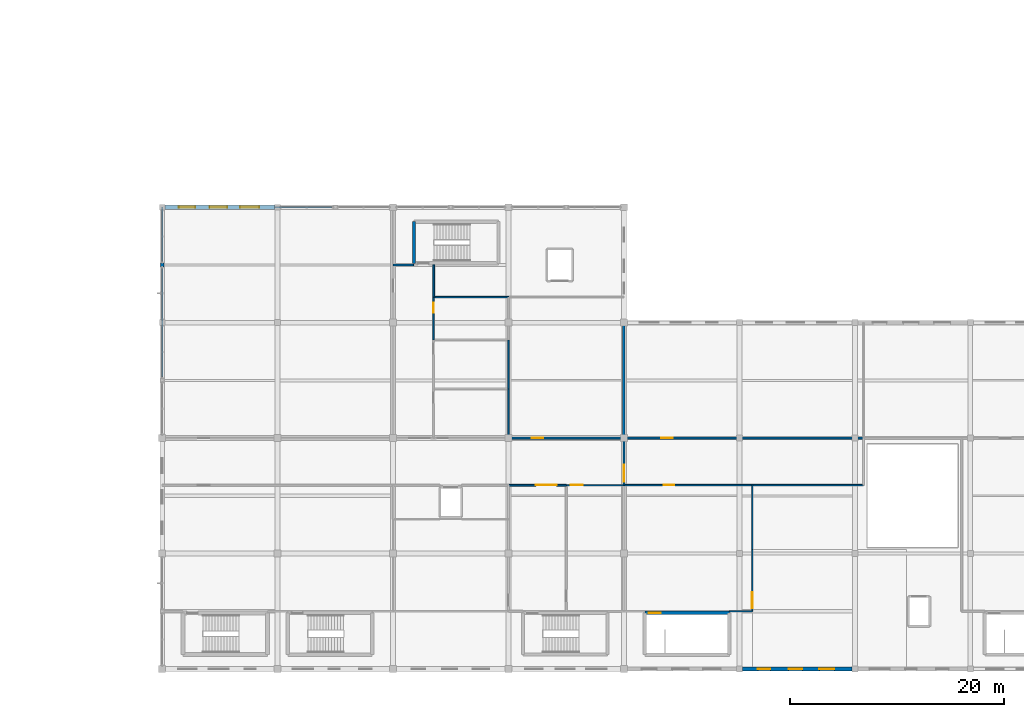
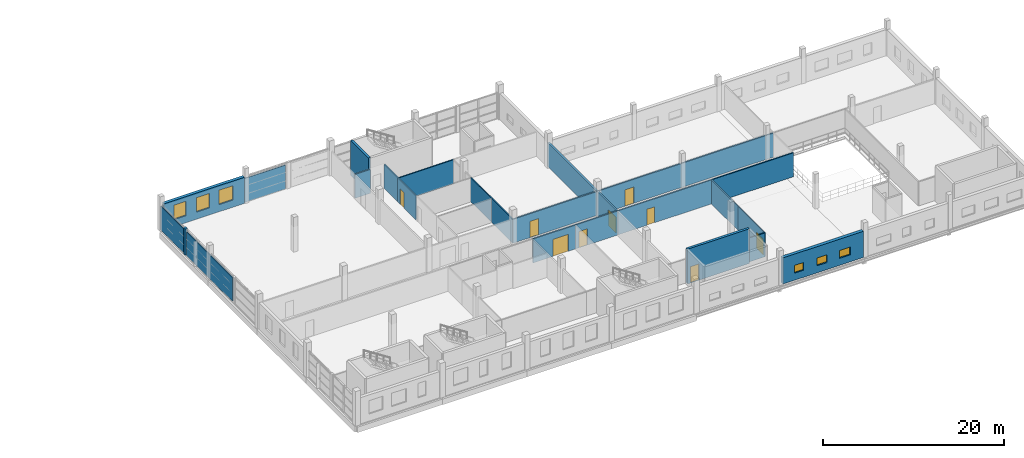
# One storey, part 16 of 24: 25 walls, 9 doors, 6 windows, 15 openings.
"""IFC4 building model written with IfcOpenShell, lengths in metres."""

import ifcopenshell
import ifcopenshell.guid

model = None  # the IFC model being written
_history = None  # IfcOwnerHistory: only IFC2X3 demands one
_inside = {}  # id of a spatial element -> (the spatial element, [elements in it])
_under = {}  # id of a project, library or spatial element -> (it, [spatial elements below it])
_declared = {}  # id of a project -> (the project, [libraries it declares])
_typed = {}  # id of a type object -> (the type object, [elements of that type])
_made_of = {}  # id of a material, layer set ... -> (it, [elements and type objects made of it])


def new_model(schema):
    """Start an empty IFC model of exactly this schema.

    Asked for "IFC4X3", IfcOpenShell would pick the latest addendum, in which some entities
    have other attributes; the version numbers below select the first issue.
    IFC2X3 requires an IfcOwnerHistory on every rooted entity: one is made here for all.
    """
    global model, _history
    if schema == "IFC4X3":
        model = ifcopenshell.file(schema_version=(4, 3, 0, 0))
    else:
        model = ifcopenshell.file(schema=schema)
    _inside.clear()
    _under.clear()
    _declared.clear()
    _typed.clear()
    _made_of.clear()
    _history = None
    if model.schema == "IFC2X3":
        org = make("IfcOrganization", Name="unknown")
        user = make(
            "IfcPersonAndOrganization",
            ThePerson=make("IfcPerson", FamilyName="unknown"),
            TheOrganization=org,
        )
        app = make(
            "IfcApplication",
            ApplicationDeveloper=org,
            Version="unknown",
            ApplicationFullName="unknown",
            ApplicationIdentifier="unknown",
        )
        _history = make(
            "IfcOwnerHistory",
            OwningUser=user,
            OwningApplication=app,
            ChangeAction="ADDED",
            CreationDate=0,
        )
    return model


def make(cls, **values):
    """One entity of the class cls with the attributes given. An attribute that is None is left unset."""
    return model.create_entity(
        cls, **{name: value for name, value in values.items() if value is not None}
    )


def rooted(cls, **values):
    """An entity with a GlobalId (a new one), such as an element, a storey or a relation."""
    return make(cls, GlobalId=ifcopenshell.guid.new(), OwnerHistory=_history, **values)


def si_unit(unit_type, name, prefix=None):
    """IfcSIUnit, for example si_unit("LENGTHUNIT", "METRE", prefix="MILLI")."""
    return make("IfcSIUnit", UnitType=unit_type, Prefix=prefix, Name=name)


def assignment(units):
    """IfcUnitAssignment: the units of a project."""
    return None if units is None else make("IfcUnitAssignment", Units=units)


def point(xyz):
    """IfcCartesianPoint."""
    return None if xyz is None else make("IfcCartesianPoint", Coordinates=xyz)


def direction(xyz):
    """IfcDirection."""
    return None if xyz is None else make("IfcDirection", DirectionRatios=xyz)


def frame(location, z_axis=None, x_axis=None):
    """IfcAxis2Placement3D, a coordinate frame: its origin and axes. An axis left out is left unset."""
    return make(
        "IfcAxis2Placement3D",
        Location=point(location),
        Axis=direction(z_axis),
        RefDirection=direction(x_axis),
    )


def frame_2d(location, x_axis=None):
    """IfcAxis2Placement2D, a coordinate frame in the plane: its origin and x axis."""
    return make(
        "IfcAxis2Placement2D", Location=point(location), RefDirection=direction(x_axis)
    )


def origin():
    """The frame at (0, 0, 0) with its axes left unset."""
    return frame((0.0, 0.0, 0.0))


def place(relative_to, where):
    """IfcLocalPlacement: puts the frame where relative to a parent placement (None: the world)."""
    return make(
        "IfcLocalPlacement", PlacementRelTo=relative_to, RelativePlacement=where
    )


def context(
    kind, dimensions, precision=None, world=None, true_north=None, identifier=None
):
    """IfcGeometricRepresentationContext, for example the 3D "Model" context."""
    return make(
        "IfcGeometricRepresentationContext",
        ContextIdentifier=identifier,
        ContextType=kind,
        CoordinateSpaceDimension=dimensions,
        Precision=precision,
        WorldCoordinateSystem=world,
        TrueNorth=true_north,
    )


def subcontext(parent, identifier, kind, view, scale=None):
    """IfcGeometricRepresentationSubContext, for example "Body" below "Model"."""
    return make(
        "IfcGeometricRepresentationSubContext",
        ContextIdentifier=identifier,
        ContextType=kind,
        ParentContext=parent,
        TargetScale=scale,
        TargetView=view,
    )


def project(units=None, contexts=None):
    """IfcProject with its units and contexts."""
    return rooted(
        "IfcProject",
        Name="project",
        RepresentationContexts=contexts,
        UnitsInContext=assignment(units),
    )


def spatial(cls, under=None, at=None, **own):
    """A site, building, storey or space (cls), placed at a placement, below another one or the project."""
    s = rooted(cls, ObjectPlacement=at, **own)
    if under is not None:
        _under.setdefault(under.id(), (under, []))[1].append(s)
    return s


def profile(cls, at=None, kind="AREA", **sizes):
    """A parametric profile (cls). Its sizes go by their IFC names, for example OverallWidth=200.0."""
    return make(cls, ProfileType=kind, Position=at, **sizes)


def rectangle(**sizes):
    """IfcRectangleProfileDef."""
    return profile("IfcRectangleProfileDef", **sizes)


def extrude(swept, where, along, depth):
    """IfcExtrudedAreaSolid: the profile swept, set in the frame where, extruded along a direction by depth."""
    return make(
        "IfcExtrudedAreaSolid",
        SweptArea=swept,
        Position=where,
        ExtrudedDirection=direction(along),
        Depth=depth,
    )


def shape(context_of_items, identifier, shape_type, items):
    """IfcShapeRepresentation: the items that make up one representation, for example the "Body"."""
    return make(
        "IfcShapeRepresentation",
        ContextOfItems=context_of_items,
        RepresentationIdentifier=identifier,
        RepresentationType=shape_type,
        Items=items,
    )


def material(Name=None, Category=None):
    """IfcMaterial."""
    return make("IfcMaterial", Name=Name, Category=Category)


def layer(
    of_material, thickness, ventilated=None, Name=None, Category=None, Priority=None
):
    """IfcMaterialLayer: one layer of a wall or slab, of a material (None: an air gap)."""
    return make(
        "IfcMaterialLayer",
        Material=of_material,
        LayerThickness=thickness,
        IsVentilated=ventilated,
        Name=Name,
        Category=Category,
        Priority=Priority,
    )


def layer_set(layers, Name=None):
    """IfcMaterialLayerSet."""
    return make("IfcMaterialLayerSet", MaterialLayers=layers, LayerSetName=Name)


def made_of(thing, what):
    """Note that an element or type object is made of a material, layer set ...; save() writes the relation."""
    if what is not None:
        _made_of.setdefault(what.id(), (what, []))[1].append(thing)
    return thing


def type_object(cls, material=None, **own):
    """A type object (cls), such as IfcWallType, which elements share."""
    return made_of(rooted(cls, **own), material)


def element(
    cls,
    number,
    at=None,
    inside=None,
    cuts=None,
    type_object=None,
    material=None,
    context=None,
    identifier="Body",
    shape_type=None,
    held_by="IfcProductDefinitionShape",
    body=None,
    shapes=None,
    **own,
):
    """One element of the class cls, such as IfcWall. Its Tag is "e" and its number.

    at: its placement. inside: the storey or other place that contains it. cuts: it is an
    opening in that element (IfcRelVoidsElement). A single representation is given by context,
    identifier, shape_type and body (its items); several are given by shapes. held_by: the class
    of the entity that holds the representations. save() writes the other relations.
    """
    e = rooted(cls, Tag="e%d" % number, ObjectPlacement=at, **own)
    if body is not None:
        shapes = [shape(context, identifier, shape_type, body)]
    if shapes is not None:
        e.Representation = make(held_by, Representations=shapes)
    if inside is not None:
        _inside.setdefault(inside.id(), (inside, []))[1].append(e)
    if cuts is not None:
        rooted(
            "IfcRelVoidsElement", RelatingBuildingElement=cuts, RelatedOpeningElement=e
        )
    if type_object is not None:
        _typed.setdefault(type_object.id(), (type_object, []))[1].append(e)
    return made_of(e, material)


def fill(opening, filler):
    """IfcRelFillsElement: the door or window that sits in an opening."""
    return rooted(
        "IfcRelFillsElement",
        RelatingOpeningElement=opening,
        RelatedBuildingElement=filler,
    )


def aggregate(whole, parts):
    """IfcRelAggregates: a whole, such as a stair, and the parts it consists of."""
    return rooted("IfcRelAggregates", RelatingObject=whole, RelatedObjects=parts)


def save(model, path):
    """Write the relations noted so far, then the file.

    IfcRelAggregates (storeys below a building ...), IfcRelContainedInSpatialStructure (elements
    in a storey), IfcRelDefinesByType, IfcRelAssociatesMaterial and IfcRelDeclares: one each for
    every whole, place, type object, material and project.
    """
    for whole, parts in _under.values():
        aggregate(whole, parts)
    for where, things in _inside.values():
        rooted(
            "IfcRelContainedInSpatialStructure",
            RelatedElements=things,
            RelatingStructure=where,
        )
    for kind, things in _typed.values():
        rooted("IfcRelDefinesByType", RelatedObjects=things, RelatingType=kind)
    for what, things in _made_of.values():
        rooted("IfcRelAssociatesMaterial", RelatedObjects=things, RelatingMaterial=what)
    for by, libraries in _declared.values():
        rooted("IfcRelDeclares", RelatingContext=by, RelatedDefinitions=libraries)
    model.write(path)


model = new_model("IFC4")

# Units and contexts
model_context = context("Model", 3, precision=1e-05, world=origin(), true_north=direction((0.0, 1.0)))
body_context = subcontext(model_context, "Body", "Model", "MODEL_VIEW")
ifc_project = project(units=[si_unit("LENGTHUNIT", "METRE"), si_unit("AREAUNIT", "SQUARE_METRE"), si_unit("VOLUMEUNIT", "CUBIC_METRE"), si_unit("PLANEANGLEUNIT", "RADIAN"), si_unit("MASSUNIT", "GRAM", prefix="KILO")], contexts=[model_context])

# Site, building, storey
site_placement = place(None, origin())
site = spatial("IfcSite", under=ifc_project, at=site_placement, CompositionType="ELEMENT")
building_placement = place(site_placement, origin())
building = spatial("IfcBuilding", under=site, at=building_placement, Name="Zwinboog Wholesale Market", CompositionType="ELEMENT")
storey_placement = place(building_placement, frame((0.0, 0.0, 10.080078125)))
storey = spatial("IfcBuildingStorey", under=building, at=storey_placement, Name="L02", CompositionType="ELEMENT", Elevation=10.080078125)

# Wall, openings, windows
ifc_material_1 = material(Name="Precast concrete C45/55", Category="concrete")
ifc_layer_1 = layer(ifc_material_1, 0.389892578125)
ifc_layer_set_1 = layer_set([ifc_layer_1], Name="Precast concrete C45/55")
wall_type_1 = type_object("IfcWallType", Name="WT-EW-390", PredefinedType="STANDARD", material=ifc_layer_set_1)
wall_1_placement = place(storey_placement, frame((129.8701171875, 43.199951171875, 0.0), z_axis=(0.0, 0.0, 1.0), x_axis=(1.0, 0.0, 0.0)))
wall_1 = element("IfcWall", 1, at=wall_1_placement, inside=storey, type_object=wall_type_1, Name="EW-02 (WL-EW-L02-195)", PredefinedType="STANDARD", context=body_context, shape_type="SweptSolid", body=[
    extrude(rectangle(XDim=10.259765625, YDim=0.389892578125, at=frame_2d((5.1298828125, 0.0))), origin(), (0.0, 0.0, 1.0), 3.530029296875),
])
opening_1_placement = place(wall_1_placement, frame((1.284912109375, 0.0, 0.949951171875)))
opening_1 = element("IfcOpeningElement", 2, at=opening_1_placement, cuts=wall_1, Name="Opening WN-61", PredefinedType="OPENING", context=body_context, shape_type="SweptSolid", body=[
    extrude(rectangle(XDim=1.530029296875, YDim=1.949951171875, at=frame_2d((0.76513671875, 0.97509765625))), frame((0.0, 0.204833984375, 0.0), z_axis=(0.0, -1.0, 0.0), x_axis=(1.0, 0.0, 0.0)), (0.0, 0.0, 1.0), 0.409912109375),
])
opening_2_placement = place(wall_1_placement, frame((4.155029296875, 0.0, 0.949951171875)))
opening_2 = element("IfcOpeningElement", 3, at=opening_2_placement, cuts=wall_1, Name="Opening WN-62", PredefinedType="OPENING", context=body_context, shape_type="SweptSolid", body=[
    extrude(rectangle(XDim=1.64990234375, YDim=1.949951171875, at=frame_2d((0.824951171875, 0.97509765625))), frame((0.0, 0.204833984375, 0.0), z_axis=(0.0, -1.0, 0.0), x_axis=(1.0, 0.0, 0.0)), (0.0, 0.0, 1.0), 0.409912109375),
])
opening_3_placement = place(wall_1_placement, frame((7.02490234375, 0.0, 0.949951171875)))
opening_3 = element("IfcOpeningElement", 4, at=opening_3_placement, cuts=wall_1, Name="Opening WN-63", PredefinedType="OPENING", context=body_context, shape_type="SweptSolid", body=[
    extrude(rectangle(XDim=1.77001953125, YDim=1.949951171875, at=frame_2d((0.885009765625, 0.97509765625))), frame((0.0, 0.204833984375, 0.0), z_axis=(0.0, -1.0, 0.0), x_axis=(1.0, 0.0, 0.0)), (0.0, 0.0, 1.0), 0.409912109375),
])
ifc_material_2 = material(Name="Thermally broken aluminium low-e window", Category="aluminium")
window_type_1 = type_object("IfcWindowType", Name="WNT-61", PartitioningType="SINGLE_PANEL", PredefinedType="WINDOW", material=ifc_material_2)
window_1_placement = place(opening_1_placement, origin())
window_1 = element("IfcWindow", 5, at=window_1_placement, inside=storey, type_object=window_type_1, Name="WN-61 (WIN-L02-0205)", OverallHeight=1.949951171875, OverallWidth=1.530029296875, PartitioningType="SINGLE_PANEL", PredefinedType="WINDOW", context=body_context, shape_type="SweptSolid", body=[
    extrude(rectangle(XDim=1.530029296875, YDim=1.949951171875, at=frame_2d((0.76513671875, 0.97509765625))), frame((0.0, 0.030029296875, 0.0), z_axis=(0.0, -1.0, 0.0), x_axis=(1.0, 0.0, 0.0)), (0.0, 0.0, 1.0), 0.06005859375),
])
fill(opening_1, window_1)
window_type_2 = type_object("IfcWindowType", Name="WNT-62", PartitioningType="SINGLE_PANEL", PredefinedType="WINDOW", material=ifc_material_2)
window_2_placement = place(opening_2_placement, origin())
window_2 = element("IfcWindow", 6, at=window_2_placement, inside=storey, type_object=window_type_2, Name="WN-62 (WIN-L02-0206)", OverallHeight=1.949951171875, OverallWidth=1.64990234375, PartitioningType="SINGLE_PANEL", PredefinedType="WINDOW", context=body_context, shape_type="SweptSolid", body=[
    extrude(rectangle(XDim=1.64990234375, YDim=1.949951171875, at=frame_2d((0.824951171875, 0.97509765625))), frame((0.0, 0.030029296875, 0.0), z_axis=(0.0, -1.0, 0.0), x_axis=(1.0, 0.0, 0.0)), (0.0, 0.0, 1.0), 0.06005859375),
])
fill(opening_2, window_2)
window_type_3 = type_object("IfcWindowType", Name="WNT-63", PartitioningType="SINGLE_PANEL", PredefinedType="WINDOW", material=ifc_material_2)
window_3_placement = place(opening_3_placement, origin())
window_3 = element("IfcWindow", 7, at=window_3_placement, inside=storey, type_object=window_type_3, Name="WN-63 (WIN-L02-0207)", OverallHeight=1.949951171875, OverallWidth=1.77001953125, PartitioningType="SINGLE_PANEL", PredefinedType="WINDOW", context=body_context, shape_type="SweptSolid", body=[
    extrude(rectangle(XDim=1.77001953125, YDim=1.949951171875, at=frame_2d((0.885009765625, 0.97509765625))), frame((0.0, 0.030029296875, 0.0), z_axis=(0.0, -1.0, 0.0), x_axis=(1.0, 0.0, 0.0)), (0.0, 0.0, 1.0), 0.06005859375),
])
fill(opening_3, window_3)

ifc_layer_2 = layer(ifc_material_1, 0.409912109375)
ifc_layer_set_2 = layer_set([ifc_layer_2], Name="Precast concrete C45/55")
wall_type_2 = type_object("IfcWallType", Name="WT-EW-410", PredefinedType="STANDARD", material=ifc_layer_set_2)
wall_2_placement = place(storey_placement, frame((183.8701171875, 0.0, 0.0), z_axis=(0.0, 0.0, 1.0), x_axis=(1.0, 0.0, 0.0)))
wall_2 = element("IfcWall", 8, at=wall_2_placement, inside=storey, type_object=wall_type_2, Name="EW-03 (WL-EW-L02-206)", PredefinedType="STANDARD", context=body_context, shape_type="SweptSolid", body=[
    extrude(rectangle(XDim=10.259765625, YDim=0.409912109375, at=frame_2d((5.1298828125, 0.0))), origin(), (0.0, 0.0, 1.0), 3.530029296875),
])
opening_4_placement = place(wall_2_placement, frame((1.465087890625, 0.0, 0.949951171875)))
opening_4 = element("IfcOpeningElement", 9, at=opening_4_placement, cuts=wall_2, Name="Opening WN-10", PredefinedType="OPENING", context=body_context, shape_type="SweptSolid", body=[
    extrude(rectangle(XDim=1.169921875, YDim=1.050048828125, at=frame_2d((0.5849609375, 0.52490234375))), frame((0.0, 0.21484375, 0.0), z_axis=(0.0, -1.0, 0.0), x_axis=(1.0, 0.0, 0.0)), (0.0, 0.0, 1.0), 0.429931640625),
])
opening_5_placement = place(wall_2_placement, frame((4.3349609375, 0.0, 0.949951171875)))
opening_5 = element("IfcOpeningElement", 10, at=opening_5_placement, cuts=wall_2, Name="Opening WN-11", PredefinedType="OPENING", context=body_context, shape_type="SweptSolid", body=[
    extrude(rectangle(XDim=1.2900390625, YDim=1.050048828125, at=frame_2d((0.64501953125, 0.52490234375))), frame((0.0, 0.21484375, 0.0), z_axis=(0.0, -1.0, 0.0), x_axis=(1.0, 0.0, 0.0)), (0.0, 0.0, 1.0), 0.429931640625),
])
opening_6_placement = place(wall_2_placement, frame((7.205078125, 0.0, 0.949951171875)))
opening_6 = element("IfcOpeningElement", 11, at=opening_6_placement, cuts=wall_2, Name="Opening WN-12", PredefinedType="OPENING", context=body_context, shape_type="SweptSolid", body=[
    extrude(rectangle(XDim=1.409912109375, YDim=1.050048828125, at=frame_2d((0.705078125, 0.52490234375))), frame((0.0, 0.21484375, 0.0), z_axis=(0.0, -1.0, 0.0), x_axis=(1.0, 0.0, 0.0)), (0.0, 0.0, 1.0), 0.429931640625),
])
window_type_4 = type_object("IfcWindowType", Name="WNT-10", PartitioningType="SINGLE_PANEL", PredefinedType="WINDOW", material=ifc_material_2)
window_4_placement = place(opening_4_placement, frame((1.169921875, 0.0, 0.0), z_axis=(0.0, 0.0, 1.0), x_axis=(-1.0, 0.0, 0.0)))
window_4 = element("IfcWindow", 12, at=window_4_placement, inside=storey, type_object=window_type_4, Name="WN-10 (WIN-L02-0226)", OverallHeight=1.050048828125, OverallWidth=1.169921875, PartitioningType="SINGLE_PANEL", PredefinedType="WINDOW", context=body_context, shape_type="SweptSolid", body=[
    extrude(rectangle(XDim=1.169921875, YDim=1.050048828125, at=frame_2d((0.5849609375, 0.52490234375))), frame((0.0, 0.030029296875, 0.0), z_axis=(0.0, -1.0, 0.0), x_axis=(1.0, 0.0, 0.0)), (0.0, 0.0, 1.0), 0.06005859375),
])
fill(opening_4, window_4)
window_type_5 = type_object("IfcWindowType", Name="WNT-11", PartitioningType="SINGLE_PANEL", PredefinedType="WINDOW", material=ifc_material_2)
window_5_placement = place(opening_5_placement, frame((1.2900390625, 0.0, 0.0), z_axis=(0.0, 0.0, 1.0), x_axis=(-1.0, 0.0, 0.0)))
window_5 = element("IfcWindow", 13, at=window_5_placement, inside=storey, type_object=window_type_5, Name="WN-11 (WIN-L02-0227)", OverallHeight=1.050048828125, OverallWidth=1.2900390625, PartitioningType="SINGLE_PANEL", PredefinedType="WINDOW", context=body_context, shape_type="SweptSolid", body=[
    extrude(rectangle(XDim=1.2900390625, YDim=1.050048828125, at=frame_2d((0.64501953125, 0.52490234375))), frame((0.0, 0.030029296875, 0.0), z_axis=(0.0, -1.0, 0.0), x_axis=(1.0, 0.0, 0.0)), (0.0, 0.0, 1.0), 0.06005859375),
])
fill(opening_5, window_5)
window_type_6 = type_object("IfcWindowType", Name="WNT-12", PartitioningType="SINGLE_PANEL", PredefinedType="WINDOW", material=ifc_material_2)
window_6_placement = place(opening_6_placement, frame((1.409912109375, 0.0, 0.0), z_axis=(0.0, 0.0, 1.0), x_axis=(-1.0, 0.0, 0.0)))
window_6 = element("IfcWindow", 14, at=window_6_placement, inside=storey, type_object=window_type_6, Name="WN-12 (WIN-L02-0228)", OverallHeight=1.050048828125, OverallWidth=1.409912109375, PartitioningType="SINGLE_PANEL", PredefinedType="WINDOW", context=body_context, shape_type="SweptSolid", body=[
    extrude(rectangle(XDim=1.409912109375, YDim=1.050048828125, at=frame_2d((0.705078125, 0.52490234375))), frame((0.0, 0.030029296875, 0.0), z_axis=(0.0, -1.0, 0.0), x_axis=(1.0, 0.0, 0.0)), (0.0, 0.0, 1.0), 0.06005859375),
])
fill(opening_6, window_6)

# Walls
ifc_layer_3 = layer(ifc_material_1, 0.304931640625)
ifc_layer_set_3 = layer_set([ifc_layer_3], Name="Precast concrete C45/55")
wall_type_3 = type_object("IfcWallType", Name="WT-EW-305", PredefinedType="STANDARD", material=ifc_layer_set_3)
wall_3_placement = place(storey_placement, frame((129.60009765625, 37.60009765625, 0.0), z_axis=(0.0, 0.0, 1.0), x_axis=(0.0, 1.0, 0.0)))
element("IfcWall", 15, at=wall_3_placement, inside=storey, type_object=wall_type_3, Name="EW-07 (WL-PIER-L02-196)", PredefinedType="STANDARD", context=body_context, shape_type="SweptSolid", body=[
    extrude(rectangle(XDim=0.39990234375, YDim=0.304931640625, at=frame_2d((0.199951171875, 0.0))), origin(), (0.0, 0.0, 1.0), 3.530029296875),
])
ifc_material_3 = material(Name="Concrete C40/50", Category="concrete")
ifc_layer_4 = layer(ifc_material_3, 0.300048828125)
ifc_layer_set_4 = layer_set([ifc_layer_4], Name="Concrete C40/50")
wall_type_4 = type_object("IfcWallType", Name="WT-SW-300", PredefinedType="SHEAR", material=ifc_layer_set_4)
wall_4_placement = place(storey_placement, frame((153.14990234375, 37.949951171875, 0.0), z_axis=(0.0, 0.0, 1.0), x_axis=(0.0, 1.0, 0.0)))
element("IfcWall", 16, at=wall_4_placement, inside=storey, type_object=wall_type_4, Name="SW-02 (WL-SW-L02-123)", PredefinedType="SHEAR", context=body_context, shape_type="SweptSolid", body=[
    extrude(rectangle(XDim=3.900146484375, YDim=0.300048828125, at=frame_2d((1.9501953125, 0.0))), origin(), (0.0, 0.0, 1.0), 4.679931640625),
])

# Wall, opening, door
ifc_layer_5 = layer(ifc_material_3, 0.320068359375)
ifc_layer_set_5 = layer_set([ifc_layer_5], Name="Concrete C40/50")
wall_type_5 = type_object("IfcWallType", Name="WT-SW-320", PredefinedType="SHEAR", material=ifc_layer_set_5)
wall_5_placement = place(storey_placement, frame((174.75, 5.25, 0.0), z_axis=(0.0, 0.0, 1.0), x_axis=(1.0, 0.0, 0.0)))
wall_5 = element("IfcWall", 17, at=wall_5_placement, inside=storey, type_object=wall_type_5, Name="SW-03 (WL-SW-L02-078)", PredefinedType="SHEAR", context=body_context, shape_type="SweptSolid", body=[
    extrude(rectangle(XDim=7.89990234375, YDim=0.320068359375, at=frame_2d((3.949951171875, 0.0))), origin(), (0.0, 0.0, 1.0), 4.679931640625),
])
opening_7_placement = place(wall_5_placement, frame((0.3798828125, 0.0, 0.0)))
opening_7 = element("IfcOpeningElement", 18, at=opening_7_placement, cuts=wall_5, Name="Opening FD-0020", PredefinedType="OPENING", context=body_context, shape_type="SweptSolid", body=[
    extrude(rectangle(XDim=1.10009765625, YDim=2.199951171875, at=frame_2d((0.550048828125, 1.10009765625))), frame((0.0, 0.169921875, 0.0), z_axis=(0.0, -1.0, 0.0), x_axis=(1.0, 0.0, 0.0)), (0.0, 0.0, 1.0), 0.340087890625),
])
ifc_material_4 = material(Name="Timber and powder-coated steel door leaf", Category="steel")
door_type_1 = type_object("IfcDoorType", Name="IDT-FD-02", OperationType="NOTDEFINED", PredefinedType="DOOR", material=ifc_material_4)
door_1_placement = place(opening_7_placement, origin())
door_1 = element("IfcDoor", 19, at=door_1_placement, inside=storey, type_object=door_type_1, Name="Core Fire Door FD-0020", OperationType="SINGLE_SWING_LEFT", OverallHeight=2.199951171875, OverallWidth=1.10009765625, PredefinedType="DOOR", context=body_context, shape_type="SweptSolid", body=[
    extrude(rectangle(XDim=1.10009765625, YDim=2.199951171875, at=frame_2d((0.550048828125, 1.10009765625))), frame((0.0, 0.02490234375, 0.0), z_axis=(0.0, -1.0, 0.0), x_axis=(1.0, 0.0, 0.0)), (0.0, 0.0, 1.0), 0.050048828125),
])
fill(opening_7, door_1)

ifc_layer_6 = layer(ifc_material_1, 0.179931640625)
ifc_layer_set_6 = layer_set([ifc_layer_6], Name="Precast concrete C45/55")
wall_type_6 = type_object("IfcWallType", Name="WT-IW-180", PredefinedType="PARTITIONING", material=ifc_layer_set_6)
wall_6_placement = place(storey_placement, frame((172.800048828125, 17.199951171875, 0.0), z_axis=(0.0, 0.0, 1.0), x_axis=(0.0, 1.0, 0.0)))
wall_6 = element("IfcWall", 20, at=wall_6_placement, inside=storey, type_object=wall_type_6, Name="IW-01 (WL-IN-L02-0241)", PredefinedType="PARTITIONING", context=body_context, shape_type="SweptSolid", body=[
    extrude(rectangle(XDim=4.400146484375, YDim=0.179931640625, at=frame_2d((2.2001953125, 0.0))), origin(), (0.0, 0.0, 1.0), 3.22998046875),
])
opening_8_placement = place(wall_6_placement, frame((0.300048828125, 0.0, 0.0)))
opening_8 = element("IfcOpeningElement", 21, at=opening_8_placement, cuts=wall_6, Name="Opening IDF-0079", PredefinedType="OPENING", context=body_context, shape_type="SweptSolid", body=[
    extrude(rectangle(XDim=1.60009765625, YDim=2.199951171875, at=frame_2d((0.800048828125, 1.10009765625))), frame((0.0, 0.099853515625, 0.0), z_axis=(0.0, -1.0, 0.0), x_axis=(1.0, 0.0, 0.0)), (0.0, 0.0, 1.0), 0.199951171875),
])
door_type_2 = type_object("IfcDoorType", Name="IDT-FD-03", OperationType="DOUBLE_DOOR_SINGLE_SWING", PredefinedType="DOOR", material=ifc_material_4)
door_2_placement = place(opening_8_placement, origin())
door_2 = element("IfcDoor", 22, at=door_2_placement, inside=storey, type_object=door_type_2, Name="Interior Door IDF-0079", OperationType="DOUBLE_DOOR_SINGLE_SWING", OverallHeight=2.199951171875, OverallWidth=1.60009765625, PredefinedType="DOOR", context=body_context, shape_type="SweptSolid", body=[
    extrude(rectangle(XDim=1.60009765625, YDim=2.199951171875, at=frame_2d((0.800048828125, 1.10009765625))), frame((0.0, 0.02490234375, 0.0), z_axis=(0.0, -1.0, 0.0), x_axis=(1.0, 0.0, 0.0)), (0.0, 0.0, 1.0), 0.050048828125),
])
fill(opening_8, door_2)

# Walls
ifc_layer_7 = layer(ifc_material_1, 0.235107421875)
ifc_layer_set_7 = layer_set([ifc_layer_7], Name="Precast concrete C45/55")
wall_type_7 = type_object("IfcWallType", Name="WT-IW-235", PredefinedType="PARTITIONING", material=ifc_layer_set_7)
wall_7_placement = place(storey_placement, frame((172.800048828125, 21.60009765625, 0.0), z_axis=(0.0, 0.0, 1.0), x_axis=(0.0, 1.0, 0.0)))
element("IfcWall", 23, at=wall_7_placement, inside=storey, type_object=wall_type_7, Name="IW-03 (WL-IN-L02-0288)", PredefinedType="PARTITIONING", context=body_context, shape_type="SweptSolid", body=[
    extrude(rectangle(XDim=10.7998046875, YDim=0.235107421875, at=frame_2d((5.39990234375, 0.0))), origin(), (0.0, 0.0, 1.0), 3.22998046875),
])
ifc_material_5 = material(Name="Gypsum acoustic stud partition")
ifc_layer_8 = layer(ifc_material_5, 0.10791015625)
ifc_layer_set_8 = layer_set([ifc_layer_8], Name="Gypsum acoustic stud partition")
wall_type_8 = type_object("IfcWallType", Name="WT-PT-108", PredefinedType="PARTITIONING", material=ifc_layer_set_8)
wall_8_placement = place(storey_placement, frame((182.669921875, 5.39990234375, 0.0), z_axis=(0.0, 0.0, 1.0), x_axis=(1.0, 0.0, 0.0)))
element("IfcWall", 24, at=wall_8_placement, inside=storey, type_object=wall_type_8, Name="PW-01 (WL-IN-L02-0287)", PredefinedType="PARTITIONING", context=body_context, shape_type="SweptSolid", body=[
    extrude(rectangle(XDim=2.130126953125, YDim=0.10791015625, at=frame_2d((1.06494140625, 0.0))), origin(), (0.0, 0.0, 1.0), 3.22998046875),
])

# Wall, opening, door
wall_9_placement = place(storey_placement, frame((184.800048828125, 5.39990234375, 0.0), z_axis=(0.0, 0.0, 1.0), x_axis=(0.0, 1.0, 0.0)))
wall_9 = element("IfcWall", 25, at=wall_9_placement, inside=storey, type_object=wall_type_8, Name="PW-01 (WL-IN-L02-0289)", PredefinedType="PARTITIONING", context=body_context, shape_type="SweptSolid", body=[
    extrude(rectangle(XDim=5.800048828125, YDim=0.10791015625, at=frame_2d((2.89990234375, 0.0))), origin(), (0.0, 0.0, 1.0), 3.22998046875),
])
opening_9_placement = place(wall_9_placement, frame((0.303955078125, 0.0, 0.0)))
opening_9 = element("IfcOpeningElement", 26, at=opening_9_placement, cuts=wall_9, Name="Opening D-0094", PredefinedType="OPENING", context=body_context, shape_type="SweptSolid", body=[
    extrude(rectangle(XDim=1.47998046875, YDim=2.199951171875, at=frame_2d((0.739990234375, 1.10009765625))), frame((0.0, 0.06396484375, 0.0), z_axis=(0.0, -1.0, 0.0), x_axis=(1.0, 0.0, 0.0)), (0.0, 0.0, 1.0), 0.1279296875),
])
door_type_3 = type_object("IfcDoorType", Name="IDT-DB-01", OperationType="DOUBLE_DOOR_SINGLE_SWING", PredefinedType="DOOR", material=ifc_material_4)
door_3_placement = place(opening_9_placement, origin())
door_3 = element("IfcDoor", 27, at=door_3_placement, inside=storey, type_object=door_type_3, Name="Interior Door D-0094", OperationType="DOUBLE_DOOR_SINGLE_SWING", OverallHeight=2.199951171875, OverallWidth=1.47998046875, PredefinedType="DOOR", context=body_context, shape_type="SweptSolid", body=[
    extrude(rectangle(XDim=1.47998046875, YDim=2.199951171875, at=frame_2d((0.739990234375, 1.10009765625))), frame((0.0, 0.02490234375, 0.0), z_axis=(0.0, -1.0, 0.0), x_axis=(1.0, 0.0, 0.0)), (0.0, 0.0, 1.0), 0.050048828125),
])
fill(opening_9, door_3)

# Walls
ifc_layer_9 = layer(ifc_material_5, 0.1240234375)
ifc_layer_set_9 = layer_set([ifc_layer_9], Name="Gypsum acoustic stud partition")
wall_type_9 = type_object("IfcWallType", Name="WT-PT-124", PredefinedType="PARTITIONING", material=ifc_layer_set_9)
wall_10_placement = place(storey_placement, frame((129.60009765625, 27.3525390625, 0.0), z_axis=(0.0, 0.0, 1.0), x_axis=(0.0, 1.0, 0.0)))
element("IfcWall", 28, at=wall_10_placement, inside=storey, type_object=wall_type_9, Name="PW-02 (WL-IN-L02-0261)", PredefinedType="PARTITIONING", context=body_context, shape_type="SweptSolid", body=[
    extrude(rectangle(XDim=10.094970703125, YDim=0.1240234375, at=frame_2d((5.04736328125, 0.0))), origin(), (0.0, 0.0, 1.0), 3.22998046875),
])
wall_11_placement = place(storey_placement, frame((129.60009765625, 38.152587890625, 0.0), z_axis=(0.0, 0.0, 1.0), x_axis=(0.0, 1.0, 0.0)))
element("IfcWall", 29, at=wall_11_placement, inside=storey, type_object=wall_type_9, Name="PW-02 (WL-IN-L02-0262)", PredefinedType="PARTITIONING", context=body_context, shape_type="SweptSolid", body=[
    extrude(rectangle(XDim=5.04736328125, YDim=0.1240234375, at=frame_2d((2.523681640625, 0.0))), origin(), (0.0, 0.0, 1.0), 3.22998046875),
])
wall_12_placement = place(storey_placement, frame((140.14990234375, 43.199951171875, 0.0), z_axis=(0.0, 0.0, 1.0), x_axis=(1.0, 0.0, 0.0)))
element("IfcWall", 30, at=wall_12_placement, inside=storey, type_object=wall_type_9, Name="PW-02 (WL-IN-L02-0263)", PredefinedType="PARTITIONING", context=body_context, shape_type="SweptSolid", body=[
    extrude(rectangle(XDim=5.297607421875, YDim=0.1240234375, at=frame_2d((2.64892578125, 0.0))), origin(), (0.0, 0.0, 1.0), 3.22998046875),
])
wall_13_placement = place(storey_placement, frame((184.800048828125, 11.199951171875, 0.0), z_axis=(0.0, 0.0, 1.0), x_axis=(0.0, 1.0, 0.0)))
element("IfcWall", 31, at=wall_13_placement, inside=storey, type_object=wall_type_9, Name="PW-02 (WL-IN-L02-0290)", PredefinedType="PARTITIONING", context=body_context, shape_type="SweptSolid", body=[
    extrude(rectangle(XDim=6.0, YDim=0.1240234375, at=frame_2d((3.0, 0.0))), origin(), (0.0, 0.0, 1.0), 3.22998046875),
])

# Wall, opening, door
ifc_material_6 = material(Name="Hygienic washable stud partition")
ifc_layer_10 = layer(ifc_material_6, 0.137939453125)
ifc_layer_set_10 = layer_set([ifc_layer_10], Name="Hygienic washable stud partition")
wall_type_10 = type_object("IfcWallType", Name="WT-PT-138", PredefinedType="PARTITIONING", material=ifc_layer_set_10)
wall_14_placement = place(storey_placement, frame((155.0, 30.800048828125, 0.0), z_axis=(0.0, 0.0, 1.0), x_axis=(0.0, 1.0, 0.0)))
wall_14 = element("IfcWall", 32, at=wall_14_placement, inside=storey, type_object=wall_type_10, Name="PW-03 (WL-IN-L02-0245)", PredefinedType="PARTITIONING", context=body_context, shape_type="SweptSolid", body=[
    extrude(rectangle(XDim=4.0, YDim=0.137939453125, at=frame_2d((2.0, 0.0))), origin(), (0.0, 0.0, 1.0), 3.22998046875),
])
opening_10_placement = place(wall_14_placement, frame((2.550048828125, 0.0, 0.0)))
opening_10 = element("IfcOpeningElement", 33, at=opening_10_placement, cuts=wall_14, Name="Opening D-0083", PredefinedType="OPENING", context=body_context, shape_type="SweptSolid", body=[
    extrude(rectangle(XDim=0.89990234375, YDim=2.10009765625, at=frame_2d((0.449951171875, 1.050048828125))), frame((0.0, 0.078857421875, 0.0), z_axis=(0.0, -1.0, 0.0), x_axis=(1.0, 0.0, 0.0)), (0.0, 0.0, 1.0), 0.157958984375),
])
door_type_4 = type_object("IfcDoorType", Name="IDT-WC-01", OperationType="NOTDEFINED", PredefinedType="DOOR", material=ifc_material_4)
door_4_placement = place(opening_10_placement, origin())
door_4 = element("IfcDoor", 34, at=door_4_placement, inside=storey, type_object=door_type_4, Name="Interior Door D-0083", OperationType="SINGLE_SWING_RIGHT", OverallHeight=2.10009765625, OverallWidth=0.89990234375, PredefinedType="DOOR", context=body_context, shape_type="SweptSolid", body=[
    extrude(rectangle(XDim=0.89990234375, YDim=2.10009765625, at=frame_2d((0.449951171875, 1.050048828125))), frame((0.0, 0.02490234375, 0.0), z_axis=(0.0, -1.0, 0.0), x_axis=(1.0, 0.0, 0.0)), (0.0, 0.0, 1.0), 0.050048828125),
])
fill(opening_10, door_4)

# Walls
wall_15_placement = place(storey_placement, frame((155.0, 34.800048828125, 0.0), z_axis=(0.0, 0.0, 1.0), x_axis=(1.0, 0.0, 0.0)))
element("IfcWall", 35, at=wall_15_placement, inside=storey, type_object=wall_type_10, Name="PW-03 (WL-IN-L02-0277)", PredefinedType="PARTITIONING", context=body_context, shape_type="SweptSolid", body=[
    extrude(rectangle(XDim=7.0, YDim=0.137939453125, at=frame_2d((3.5, 0.0))), origin(), (0.0, 0.0, 1.0), 3.22998046875),
])
wall_16_placement = place(storey_placement, frame((162.0, 21.60009765625, 0.0), z_axis=(0.0, 0.0, 1.0), x_axis=(0.0, 1.0, 0.0)))
element("IfcWall", 36, at=wall_16_placement, inside=storey, type_object=wall_type_10, Name="PW-03 (WL-IN-L02-0280)", PredefinedType="PARTITIONING", context=body_context, shape_type="SweptSolid", body=[
    extrude(rectangle(XDim=4.599853515625, YDim=0.137939453125, at=frame_2d((2.2998046875, 0.0))), origin(), (0.0, 0.0, 1.0), 3.22998046875),
])
wall_17_placement = place(storey_placement, frame((162.0, 26.199951171875, 0.0), z_axis=(0.0, 0.0, 1.0), x_axis=(0.0, 1.0, 0.0)))
element("IfcWall", 37, at=wall_17_placement, inside=storey, type_object=wall_type_10, Name="PW-03 (WL-IN-L02-0281)", PredefinedType="PARTITIONING", context=body_context, shape_type="SweptSolid", body=[
    extrude(rectangle(XDim=4.60009765625, YDim=0.137939453125, at=frame_2d((2.300048828125, 0.0))), origin(), (0.0, 0.0, 1.0), 3.22998046875),
])

# Wall, opening, door
ifc_material_7 = material(Name="Fire-rated corridor stud partition")
ifc_layer_11 = layer(ifc_material_7, 0.154052734375)
ifc_layer_set_11 = layer_set([ifc_layer_11], Name="Fire-rated corridor stud partition")
wall_type_11 = type_object("IfcWallType", Name="WT-PT-154", PredefinedType="PARTITIONING", material=ifc_layer_set_11)
wall_18_placement = place(storey_placement, frame((172.800048828125, 17.199951171875, 0.0), z_axis=(0.0, 0.0, 1.0), x_axis=(1.0, 0.0, 0.0)))
wall_18 = element("IfcWall", 38, at=wall_18_placement, inside=storey, type_object=wall_type_11, Name="PW-04 (WL-IN-L02-0253)", PredefinedType="PARTITIONING", context=body_context, shape_type="SweptSolid", body=[
    extrude(rectangle(XDim=12.0, YDim=0.154052734375, at=frame_2d((6.0, 0.0))), origin(), (0.0, 0.0, 1.0), 3.22998046875),
])
opening_11_placement = place(wall_18_placement, frame((3.699951171875, 0.0, 0.0)))
opening_11 = element("IfcOpeningElement", 39, at=opening_11_placement, cuts=wall_18, Name="Opening IDF-0091", PredefinedType="OPENING", context=body_context, shape_type="SweptSolid", body=[
    extrude(rectangle(XDim=1.0, YDim=2.14990234375, at=frame_2d((0.5, 1.074951171875))), frame((0.0, 0.0869140625, 0.0), z_axis=(0.0, -1.0, 0.0), x_axis=(1.0, 0.0, 0.0)), (0.0, 0.0, 1.0), 0.174072265625),
])
door_type_5 = type_object("IfcDoorType", Name="IDT-FD-01", OperationType="NOTDEFINED", PredefinedType="DOOR", material=ifc_material_4)
door_5_placement = place(opening_11_placement, origin())
door_5 = element("IfcDoor", 40, at=door_5_placement, inside=storey, type_object=door_type_5, Name="Interior Door IDF-0091", OperationType="SINGLE_SWING_RIGHT", OverallHeight=2.14990234375, OverallWidth=1.0, PredefinedType="DOOR", context=body_context, shape_type="SweptSolid", body=[
    extrude(rectangle(XDim=1.0, YDim=2.14990234375, at=frame_2d((0.5, 1.074951171875))), frame((0.0, 0.02490234375, 0.0), z_axis=(0.0, -1.0, 0.0), x_axis=(1.0, 0.0, 0.0)), (0.0, 0.0, 1.0), 0.050048828125),
])
fill(opening_11, door_5)

# Walls
wall_19_placement = place(storey_placement, frame((151.199951171875, 37.800048828125, 0.0), z_axis=(0.0, 0.0, 1.0), x_axis=(1.0, 0.0, 0.0)))
element("IfcWall", 41, at=wall_19_placement, inside=storey, type_object=wall_type_11, Name="PW-04 (WL-IN-L02-0273)", PredefinedType="PARTITIONING", context=body_context, shape_type="SweptSolid", body=[
    extrude(rectangle(XDim=1.929931640625, YDim=0.154052734375, at=frame_2d((0.96484375, 0.0))), origin(), (0.0, 0.0, 1.0), 3.22998046875),
])
wall_20_placement = place(storey_placement, frame((184.800048828125, 17.199951171875, 0.0), z_axis=(0.0, 0.0, 1.0), x_axis=(1.0, 0.0, 0.0)))
element("IfcWall", 42, at=wall_20_placement, inside=storey, type_object=wall_type_11, Name="PW-04 (WL-IN-L02-0291)", PredefinedType="PARTITIONING", context=body_context, shape_type="SweptSolid", body=[
    extrude(rectangle(XDim=10.39990234375, YDim=0.154052734375, at=frame_2d((5.199951171875, 0.0))), origin(), (0.0, 0.0, 1.0), 3.22998046875),
])

# Wall, opening, door
ifc_material_8 = material(Name="Laboratory acoustic partition")
ifc_layer_12 = layer(ifc_material_8, 0.16796875)
ifc_layer_set_12 = layer_set([ifc_layer_12], Name="Laboratory acoustic partition")
wall_type_12 = type_object("IfcWallType", Name="WT-PT-168", PredefinedType="PARTITIONING", material=ifc_layer_set_12)
wall_21_placement = place(storey_placement, frame((162.0, 17.199951171875, 0.0), z_axis=(0.0, 0.0, 1.0), x_axis=(1.0, 0.0, 0.0)))
wall_21 = element("IfcWall", 43, at=wall_21_placement, inside=storey, type_object=wall_type_12, Name="PW-05 (WL-IN-L02-0240)", PredefinedType="PARTITIONING", context=body_context, shape_type="SweptSolid", body=[
    extrude(rectangle(XDim=5.39990234375, YDim=0.16796875, at=frame_2d((2.699951171875, 0.0))), origin(), (0.0, 0.0, 1.0), 3.22998046875),
])
opening_12_placement = place(wall_21_placement, frame((2.530029296875, 0.0, 0.0)))
opening_12 = element("IfcOpeningElement", 44, at=opening_12_placement, cuts=wall_21, Name="Opening IDF-0078", PredefinedType="OPENING", context=body_context, shape_type="SweptSolid", body=[
    extrude(rectangle(XDim=1.9599609375, YDim=2.300048828125, at=frame_2d((0.97998046875, 1.14990234375))), frame((0.0, 0.093994140625, 0.0), z_axis=(0.0, -1.0, 0.0), x_axis=(1.0, 0.0, 0.0)), (0.0, 0.0, 1.0), 0.18798828125),
])
door_type_6 = type_object("IfcDoorType", Name="IDT-FD-05", OperationType="DOUBLE_DOOR_SINGLE_SWING", PredefinedType="DOOR", material=ifc_material_4)
door_6_placement = place(opening_12_placement, frame((1.9599609375, 0.0, 0.0), z_axis=(0.0, 0.0, 1.0), x_axis=(-1.0, 0.0, 0.0)))
door_6 = element("IfcDoor", 45, at=door_6_placement, inside=storey, type_object=door_type_6, Name="Interior Door IDF-0078", OperationType="DOUBLE_DOOR_SINGLE_SWING", OverallHeight=2.300048828125, OverallWidth=1.9599609375, PredefinedType="DOOR", context=body_context, shape_type="SweptSolid", body=[
    extrude(rectangle(XDim=1.9599609375, YDim=2.300048828125, at=frame_2d((0.97998046875, 1.14990234375))), frame((0.0, 0.02490234375, 0.0), z_axis=(0.0, -1.0, 0.0), x_axis=(1.0, 0.0, 0.0)), (0.0, 0.0, 1.0), 0.050048828125),
])
fill(opening_12, door_6)

wall_22_placement = place(storey_placement, frame((162.0, 21.60009765625, 0.0), z_axis=(0.0, 0.0, 1.0), x_axis=(1.0, 0.0, 0.0)))
wall_22 = element("IfcWall", 46, at=wall_22_placement, inside=storey, type_object=wall_type_12, Name="PW-05 (WL-IN-L02-0250)", PredefinedType="PARTITIONING", context=body_context, shape_type="SweptSolid", body=[
    extrude(rectangle(XDim=10.800048828125, YDim=0.16796875, at=frame_2d((5.39990234375, 0.0))), origin(), (0.0, 0.0, 1.0), 3.22998046875),
])
opening_13_placement = place(wall_22_placement, frame((2.14990234375, 0.0, 0.0)))
opening_13 = element("IfcOpeningElement", 47, at=opening_13_placement, cuts=wall_22, Name="Opening IDF-0088", PredefinedType="OPENING", context=body_context, shape_type="SweptSolid", body=[
    extrude(rectangle(XDim=1.10009765625, YDim=2.199951171875, at=frame_2d((0.550048828125, 1.10009765625))), frame((0.0, 0.093994140625, 0.0), z_axis=(0.0, -1.0, 0.0), x_axis=(1.0, 0.0, 0.0)), (0.0, 0.0, 1.0), 0.18798828125),
])
door_7_placement = place(opening_13_placement, origin())
door_7 = element("IfcDoor", 48, at=door_7_placement, inside=storey, type_object=door_type_1, Name="Interior Door IDF-0088", OperationType="SINGLE_SWING_LEFT", OverallHeight=2.199951171875, OverallWidth=1.10009765625, PredefinedType="DOOR", context=body_context, shape_type="SweptSolid", body=[
    extrude(rectangle(XDim=1.10009765625, YDim=2.199951171875, at=frame_2d((0.550048828125, 1.10009765625))), frame((0.0, 0.02490234375, 0.0), z_axis=(0.0, -1.0, 0.0), x_axis=(1.0, 0.0, 0.0)), (0.0, 0.0, 1.0), 0.050048828125),
])
fill(opening_13, door_7)

wall_23_placement = place(storey_placement, frame((167.39990234375, 17.199951171875, 0.0), z_axis=(0.0, 0.0, 1.0), x_axis=(1.0, 0.0, 0.0)))
wall_23 = element("IfcWall", 49, at=wall_23_placement, inside=storey, type_object=wall_type_12, Name="PW-05 (WL-IN-L02-0252)", PredefinedType="PARTITIONING", context=body_context, shape_type="SweptSolid", body=[
    extrude(rectangle(XDim=5.400146484375, YDim=0.16796875, at=frame_2d((2.7001953125, 0.0))), origin(), (0.0, 0.0, 1.0), 3.22998046875),
])
opening_14_placement = place(wall_23_placement, frame((0.422119140625, 0.0, 0.0)))
opening_14 = element("IfcOpeningElement", 50, at=opening_14_placement, cuts=wall_23, Name="Opening IDF-0090", PredefinedType="OPENING", context=body_context, shape_type="SweptSolid", body=[
    extrude(rectangle(XDim=1.10009765625, YDim=2.199951171875, at=frame_2d((0.550048828125, 1.10009765625))), frame((0.0, 0.093994140625, 0.0), z_axis=(0.0, -1.0, 0.0), x_axis=(1.0, 0.0, 0.0)), (0.0, 0.0, 1.0), 0.18798828125),
])
door_8_placement = place(opening_14_placement, frame((1.10009765625, 0.0, 0.0), z_axis=(0.0, 0.0, 1.0), x_axis=(-1.0, 0.0, 0.0)))
door_8 = element("IfcDoor", 51, at=door_8_placement, inside=storey, type_object=door_type_1, Name="Interior Door IDF-0090", OperationType="SINGLE_SWING_LEFT", OverallHeight=2.199951171875, OverallWidth=1.10009765625, PredefinedType="DOOR", context=body_context, shape_type="SweptSolid", body=[
    extrude(rectangle(XDim=1.10009765625, YDim=2.199951171875, at=frame_2d((0.550048828125, 1.10009765625))), frame((0.0, 0.02490234375, 0.0), z_axis=(0.0, -1.0, 0.0), x_axis=(1.0, 0.0, 0.0)), (0.0, 0.0, 1.0), 0.050048828125),
])
fill(opening_14, door_8)

wall_24_placement = place(storey_placement, frame((172.800048828125, 21.60009765625, 0.0), z_axis=(0.0, 0.0, 1.0), x_axis=(1.0, 0.0, 0.0)))
wall_24 = element("IfcWall", 52, at=wall_24_placement, inside=storey, type_object=wall_type_12, Name="PW-05 (WL-IN-L02-0254)", PredefinedType="PARTITIONING", context=body_context, shape_type="SweptSolid", body=[
    extrude(rectangle(XDim=22.39990234375, YDim=0.16796875, at=frame_2d((11.199951171875, 0.0))), origin(), (0.0, 0.0, 1.0), 3.22998046875),
])
opening_15_placement = place(wall_24_placement, frame((3.48193359375, 0.0, 0.0)))
opening_15 = element("IfcOpeningElement", 53, at=opening_15_placement, cuts=wall_24, Name="Opening IDF-0092", PredefinedType="OPENING", context=body_context, shape_type="SweptSolid", body=[
    extrude(rectangle(XDim=1.10009765625, YDim=2.199951171875, at=frame_2d((0.550048828125, 1.10009765625))), frame((0.0, 0.093994140625, 0.0), z_axis=(0.0, -1.0, 0.0), x_axis=(1.0, 0.0, 0.0)), (0.0, 0.0, 1.0), 0.18798828125),
])
door_9_placement = place(opening_15_placement, origin())
door_9 = element("IfcDoor", 54, at=door_9_placement, inside=storey, type_object=door_type_1, Name="Interior Door IDF-0092", OperationType="SINGLE_SWING_LEFT", OverallHeight=2.199951171875, OverallWidth=1.10009765625, PredefinedType="DOOR", context=body_context, shape_type="SweptSolid", body=[
    extrude(rectangle(XDim=1.10009765625, YDim=2.199951171875, at=frame_2d((0.550048828125, 1.10009765625))), frame((0.0, 0.02490234375, 0.0), z_axis=(0.0, -1.0, 0.0), x_axis=(1.0, 0.0, 0.0)), (0.0, 0.0, 1.0), 0.050048828125),
])
fill(opening_15, door_9)

# Wall
wall_25_placement = place(storey_placement, frame((155.0, 34.800048828125, 0.0), z_axis=(0.0, 0.0, 1.0), x_axis=(0.0, 1.0, 0.0)))
element("IfcWall", 55, at=wall_25_placement, inside=storey, type_object=wall_type_12, Name="PW-05 (WL-IN-L02-0276)", PredefinedType="PARTITIONING", context=body_context, shape_type="SweptSolid", body=[
    extrude(rectangle(XDim=3.0, YDim=0.16796875, at=frame_2d((1.5, 0.0))), origin(), (0.0, 0.0, 1.0), 3.22998046875),
])

save(model, "model.ifc")
